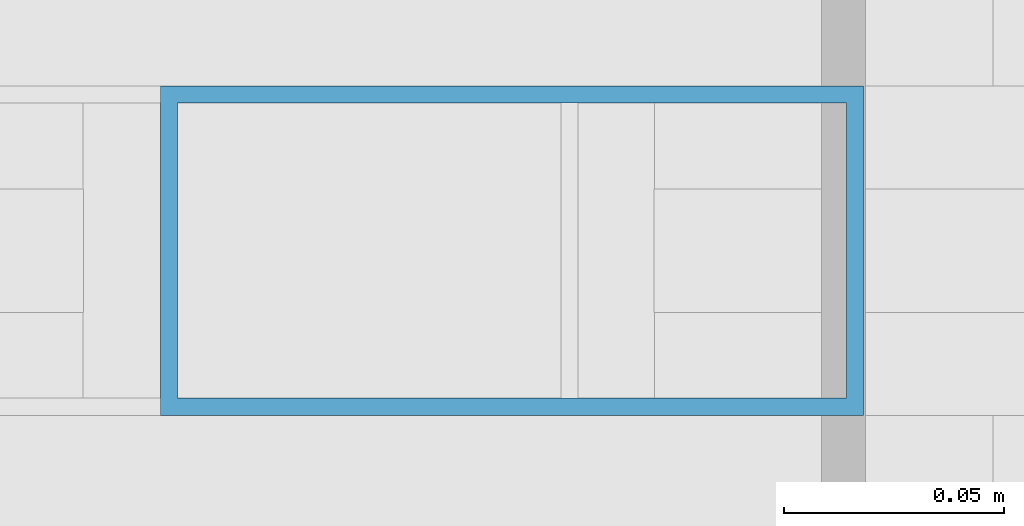
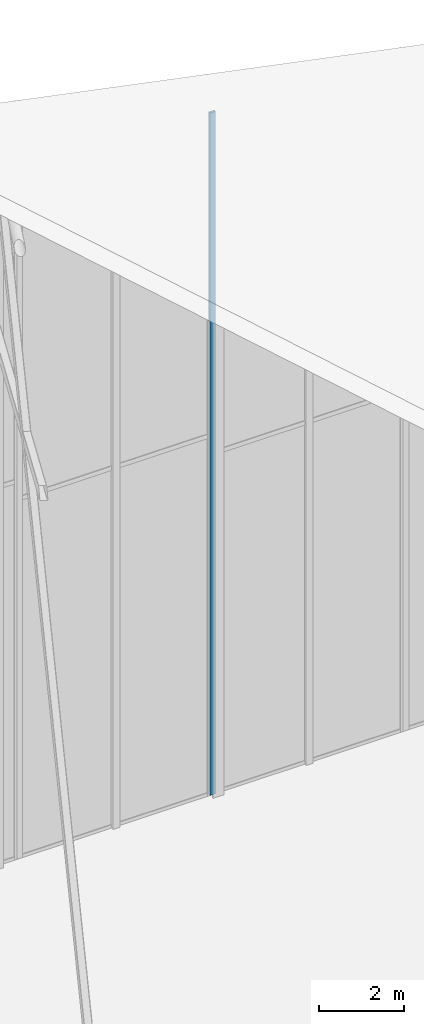
# One storey, part 53 of 74: 1 member, 1 element without a shape of its own.
"""IFC4 building model written with IfcOpenShell, lengths in metres."""

from ifc_helpers import new_model, si_unit, direction, frame, origin, origin_2d, place, context, subcontext, project, spatial, hollow_rectangle, extrude, material, layer, layer_set, material_profile, profile_set, type_object, element, aggregate, save


model = new_model("IFC4")

# Units and contexts
model_context = context("Model", 3, precision=1e-05, world=origin(), true_north=direction((0.0, 1.0)))
body_context = subcontext(model_context, "Body", "Model", "MODEL_VIEW")
ifc_project = project(units=[si_unit("LENGTHUNIT", "METRE"), si_unit("AREAUNIT", "SQUARE_METRE"), si_unit("VOLUMEUNIT", "CUBIC_METRE"), si_unit("PLANEANGLEUNIT", "RADIAN"), si_unit("MASSUNIT", "GRAM", prefix="KILO")], contexts=[model_context])

# Site, building, storey
site_placement = place(None, origin())
site = spatial("IfcSite", under=ifc_project, at=site_placement, CompositionType="ELEMENT")
building_placement = place(site_placement, origin())
building = spatial("IfcBuilding", under=site, at=building_placement, Name="Keshet Zoharim Tower", CompositionType="ELEMENT")
storey_placement = place(building_placement, frame((0.0, 0.0, 320.0)))
storey = spatial("IfcBuildingStorey", under=building, at=storey_placement, Name="RF", CompositionType="ELEMENT", Elevation=320.0)

# Curtain wall, member
ifc_material = material(Name="Aluminium 6063-T6", Category="aluminium")
ifc_layer = layer(ifc_material, 0.260009765625)
ifc_layer_set = layer_set([ifc_layer], Name="Aluminium 6063-T6")
curtain_wall_type = type_object("IfcCurtainWallType", Name="CW-SYS-06", PredefinedType="NOTDEFINED", material=ifc_layer_set)
curtain_wall_placement = place(storey_placement, origin())
curtain_wall = element("IfcCurtainWall", 1, at=curtain_wall_placement, inside=storey, type_object=curtain_wall_type, Name="Slanted Crown Curtain Wall 13", PredefinedType="NOTDEFINED")
ifc_material_profile = material_profile(ifc_material, hollow_rectangle(XDim=0.074951171875, YDim=0.159912109375, WallThickness=0.00390625, at=origin_2d()), Name="MUL-75x160")
ifc_profile_set = profile_set([ifc_material_profile], Name="Aluminium 6063-T6")
member_type = type_object("IfcMemberType", Name="CWM-M15", PredefinedType="MULLION", material=ifc_profile_set)
member_placement = place(storey_placement, frame((26.924560546875, 53.89990234375, 0.0), z_axis=(0.0, 0.0, 1.0), x_axis=(0.0, 1.0, 0.0)))
member = element("IfcMember", 2, at=member_placement, type_object=member_type, Name="CW-06 mullion 1", PredefinedType="MULLION", context=body_context, shape_type="SweptSolid", body=[
    extrude(hollow_rectangle(XDim=0.074951171875, YDim=0.159912109375, WallThickness=0.00390625, at=origin_2d()), origin(), (0.0, 0.0, 1.0), 19.64599609375),
])
aggregate(curtain_wall, [member])

save(model, "model.ifc")
